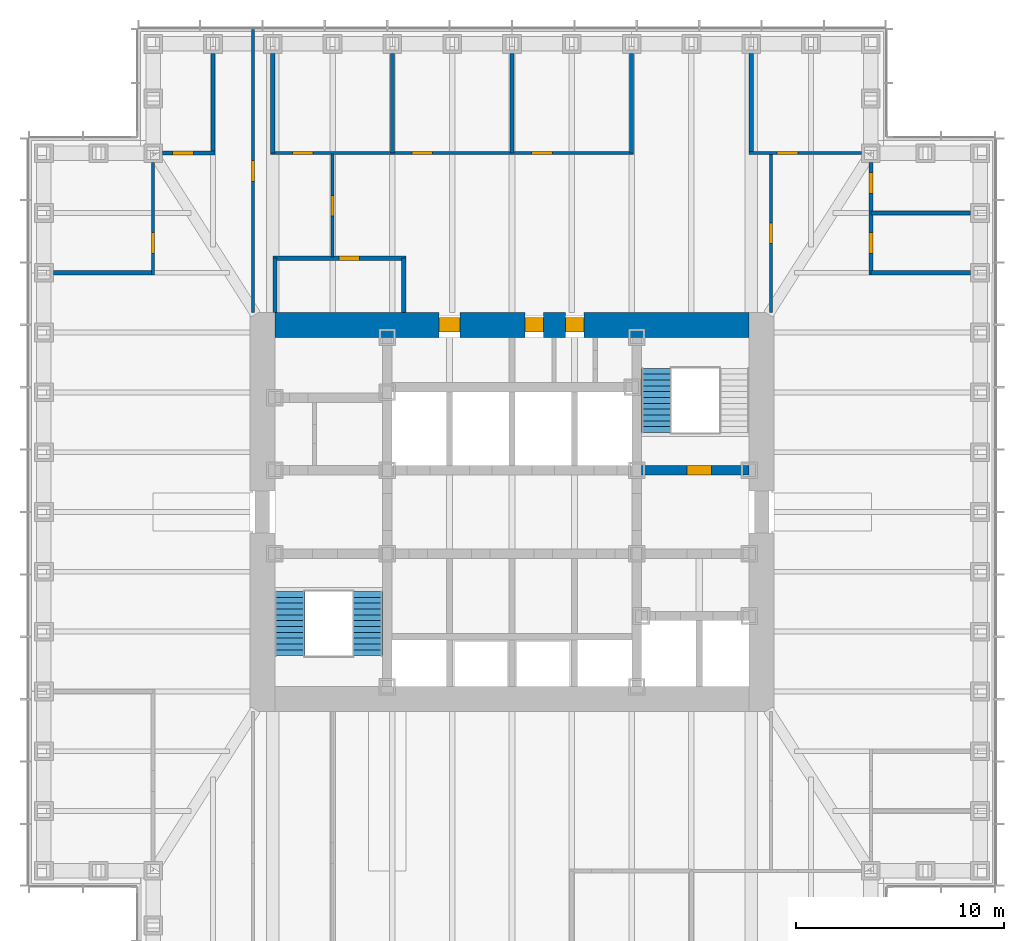
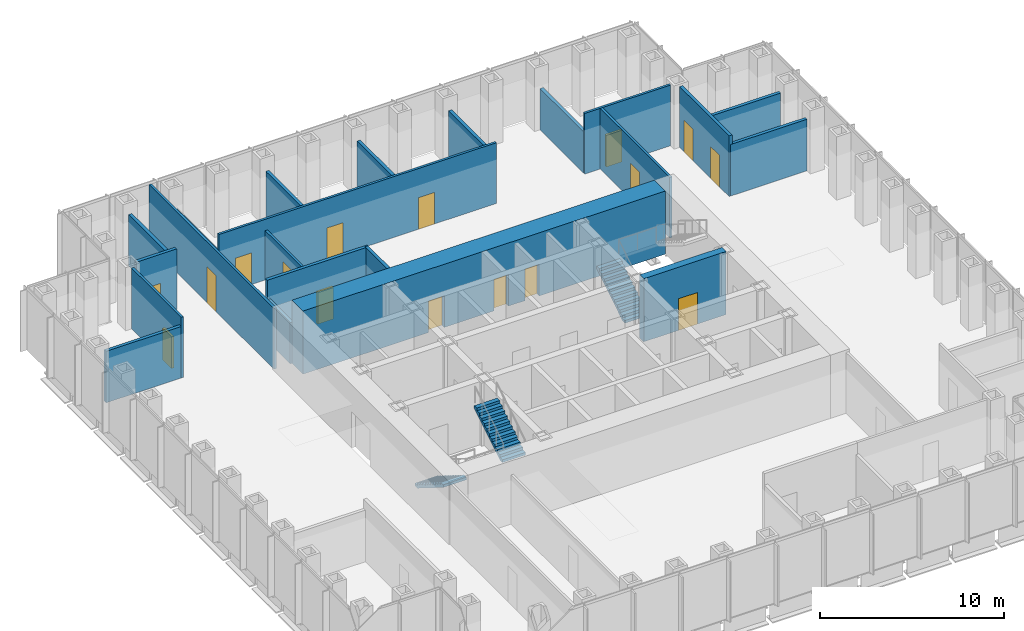
# One storey, part 10 of 17: 22 walls, 16 doors, 3 stair flights, 16 openings, 2 elements without a shape of their own.
"""IFC4 building model written with IfcOpenShell, lengths in metres."""

from ifc_helpers import new_model, si_unit, direction, frame, frame_2d, origin, place, context, subcontext, project, spatial, polyline, rectangle, outline, extrude, material, layer, layer_set, type_object, element, fill, aggregate, save


model = new_model("IFC4")

# Units and contexts
model_context = context("Model", 3, precision=1e-05, world=origin(), true_north=direction((0.0, 1.0)))
body_context = subcontext(model_context, "Body", "Model", "MODEL_VIEW")
ifc_project = project(units=[si_unit("LENGTHUNIT", "METRE"), si_unit("AREAUNIT", "SQUARE_METRE"), si_unit("VOLUMEUNIT", "CUBIC_METRE"), si_unit("PLANEANGLEUNIT", "RADIAN"), si_unit("MASSUNIT", "GRAM", prefix="KILO")], contexts=[model_context])

# Site, building, storey
site_placement = place(None, origin())
site = spatial("IfcSite", under=ifc_project, at=site_placement, CompositionType="ELEMENT")
building_placement = place(site_placement, origin())
building = spatial("IfcBuilding", under=site, at=building_placement, Name="Daluyong Arena Tower", CompositionType="ELEMENT")
storey_placement = place(building_placement, frame((0.0, 0.0, 129.10009765625)))
storey = spatial("IfcBuildingStorey", under=building, at=storey_placement, Name="L28", CompositionType="ELEMENT", Elevation=129.10009765625)

# Wall, opening, door
ifc_material_1 = material(Name="Concrete fc' 45 MPa", Category="concrete")
ifc_layer_1 = layer(ifc_material_1, 0.449951171875)
ifc_layer_set_1 = layer_set([ifc_layer_1], Name="Concrete fc' 45 MPa")
wall_type_1 = type_object("IfcWallType", Name="Core inner wall 450", PredefinedType="SHEAR", material=ifc_layer_set_1)
wall_1_placement = place(storey_placement, frame((62.22509765625, 82.0, 0.0), z_axis=(0.0, 0.0, 1.0), x_axis=(1.0, 0.0, 0.0)))
wall_1 = element("IfcWall", 1, at=wall_1_placement, inside=storey, type_object=wall_type_1, Name="core inner wall at L28", PredefinedType="SHEAR", context=body_context, shape_type="SweptSolid", body=[
    extrude(rectangle(XDim=5.1748046875, YDim=0.449951171875, at=frame_2d((2.58740234375, 0.0))), origin(), (0.0, 0.0, 1.0), 4.199951171875),
])
opening_1_placement = place(wall_1_placement, frame((2.175048828125, 0.0, 0.0)))
opening_1 = element("IfcOpeningElement", 2, at=opening_1_placement, cuts=wall_1, Name="Opening 28013", PredefinedType="OPENING", context=body_context, shape_type="SweptSolid", body=[
    extrude(rectangle(XDim=1.199951171875, YDim=2.10009765625, at=frame_2d((0.60009765625, 1.050048828125))), frame((0.0, 0.23486328125, 0.0), z_axis=(0.0, -1.0, 0.0), x_axis=(1.0, 0.0, 0.0)), (0.0, 0.0, 1.0), 0.469970703125),
])
ifc_material_2 = material(Name="Steel door, fire rated", Category="steel")
door_type_1 = type_object("IfcDoorType", Name="Stair door 1200", OperationType="SINGLE_SWING_LEFT", PredefinedType="DOOR", material=ifc_material_2)
door_1_placement = place(opening_1_placement, origin())
door_1 = element("IfcDoor", 3, at=door_1_placement, inside=storey, type_object=door_type_1, Name="stair B door 28013", OperationType="SINGLE_SWING_LEFT", OverallHeight=2.10009765625, OverallWidth=1.199951171875, PredefinedType="DOOR", context=body_context, shape_type="SweptSolid", body=[
    extrude(rectangle(XDim=1.199951171875, YDim=2.10009765625, at=frame_2d((0.60009765625, 1.050048828125))), frame((0.0, 0.224609375, 0.0), z_axis=(0.0, -1.0, 0.0), x_axis=(1.0, 0.0, 0.0)), (0.0, 0.0, 1.0), 0.449462890625),
])
fill(opening_1, door_1)

# Wall, openings, doors
ifc_material_3 = material(Name="Concrete fc' 60 MPa", Category="concrete")
ifc_layer_2 = layer(ifc_material_3, 1.199951171875)
ifc_layer_set_2 = layer_set([ifc_layer_2], Name="Concrete fc' 60 MPa")
wall_type_2 = type_object("IfcWallType", Name="Core wall 1200", PredefinedType="SHEAR", material=ifc_layer_set_2)
wall_2_placement = place(storey_placement, frame((44.60009765625, 89.0, 0.0), z_axis=(0.0, 0.0, 1.0), x_axis=(1.0, 0.0, 0.0)))
wall_2 = element("IfcWall", 4, at=wall_2_placement, inside=storey, type_object=wall_type_2, Name="core wall at L28", PredefinedType="SHEAR", context=body_context, shape_type="SweptSolid", body=[
    extrude(rectangle(XDim=22.7998046875, YDim=1.199951171875, at=frame_2d((11.39990234375, 0.0))), origin(), (0.0, 0.0, 1.0), 4.199951171875),
])
opening_2_placement = place(wall_2_placement, frame((7.89990234375, 0.0, 0.0)))
opening_2 = element("IfcOpeningElement", 5, at=opening_2_placement, cuts=wall_2, Name="Opening 28004", PredefinedType="OPENING", context=body_context, shape_type="SweptSolid", body=[
    extrude(rectangle(XDim=1.0, YDim=2.10009765625, at=frame_2d((0.5, 1.050048828125))), frame((0.0, 0.60986328125, 0.0), z_axis=(0.0, -1.0, 0.0), x_axis=(1.0, 0.0, 0.0)), (0.0, 0.0, 1.0), 1.219970703125),
])
opening_3_placement = place(wall_2_placement, frame((12.02490234375, 0.0, 0.0)))
opening_3 = element("IfcOpeningElement", 6, at=opening_3_placement, cuts=wall_2, Name="Opening 28005", PredefinedType="OPENING", context=body_context, shape_type="SweptSolid", body=[
    extrude(rectangle(XDim=0.89990234375, YDim=2.10009765625, at=frame_2d((0.449951171875, 1.050048828125))), frame((0.0, 0.60986328125, 0.0), z_axis=(0.0, -1.0, 0.0), x_axis=(1.0, 0.0, 0.0)), (0.0, 0.0, 1.0), 1.219970703125),
])
opening_4_placement = place(wall_2_placement, frame((13.96240234375, 0.0, 0.0)))
opening_4 = element("IfcOpeningElement", 7, at=opening_4_placement, cuts=wall_2, Name="Opening 28006", PredefinedType="OPENING", context=body_context, shape_type="SweptSolid", body=[
    extrude(rectangle(XDim=0.89990234375, YDim=2.10009765625, at=frame_2d((0.449951171875, 1.050048828125))), frame((0.0, 0.60986328125, 0.0), z_axis=(0.0, -1.0, 0.0), x_axis=(1.0, 0.0, 0.0)), (0.0, 0.0, 1.0), 1.219970703125),
])
ifc_material_4 = material(Name="Timber door", Category="wood")
door_type_2 = type_object("IfcDoorType", Name="Accessible toilet door 1000", OperationType="SINGLE_SWING_LEFT", PredefinedType="DOOR", material=ifc_material_4)
door_2_placement = place(opening_2_placement, origin())
door_2 = element("IfcDoor", 8, at=door_2_placement, inside=storey, type_object=door_type_2, Name="accessible toilet door 28004", OperationType="SINGLE_SWING_LEFT", OverallHeight=2.10009765625, OverallWidth=1.0, PredefinedType="DOOR", context=body_context, shape_type="SweptSolid", body=[
    extrude(rectangle(XDim=1.0, YDim=2.10009765625, at=frame_2d((0.5, 1.050048828125))), frame((0.0, 0.35009765625, 0.0), z_axis=(0.0, -1.0, 0.0), x_axis=(1.0, 0.0, 0.0)), (0.0, 0.0, 1.0), 0.699951171875),
])
fill(opening_2, door_2)
ifc_material_5 = material(Name="Steel door, fire rated", Category="steel")
door_type_3 = type_object("IfcDoorType", Name="Core store door 900", OperationType="SINGLE_SWING_LEFT", PredefinedType="DOOR", material=ifc_material_5)
door_3_placement = place(opening_3_placement, origin())
door_3 = element("IfcDoor", 9, at=door_3_placement, inside=storey, type_object=door_type_3, Name="furniture store door 28005", OperationType="SINGLE_SWING_LEFT", OverallHeight=2.10009765625, OverallWidth=0.89990234375, PredefinedType="DOOR", context=body_context, shape_type="SweptSolid", body=[
    extrude(rectangle(XDim=0.89990234375, YDim=2.10009765625, at=frame_2d((0.449951171875, 1.050048828125))), frame((0.0, 0.35009765625, 0.0), z_axis=(0.0, -1.0, 0.0), x_axis=(1.0, 0.0, 0.0)), (0.0, 0.0, 1.0), 0.699951171875),
])
fill(opening_3, door_3)
door_4_placement = place(opening_4_placement, origin())
door_4 = element("IfcDoor", 10, at=door_4_placement, inside=storey, type_object=door_type_3, Name="stationery store door 28006", OperationType="SINGLE_SWING_LEFT", OverallHeight=2.10009765625, OverallWidth=0.89990234375, PredefinedType="DOOR", context=body_context, shape_type="SweptSolid", body=[
    extrude(rectangle(XDim=0.89990234375, YDim=2.10009765625, at=frame_2d((0.449951171875, 1.050048828125))), frame((0.0, 0.35009765625, 0.0), z_axis=(0.0, -1.0, 0.0), x_axis=(1.0, 0.0, 0.0)), (0.0, 0.0, 1.0), 0.699951171875),
])
fill(opening_4, door_4)

ifc_material_6 = material(Name="Glazed aluminium partition", Category="aluminium")
ifc_layer_3 = layer(ifc_material_6, 0.14990234375)
ifc_layer_set_3 = layer_set([ifc_layer_3], Name="Glazed aluminium partition")
wall_type_3 = type_object("IfcWallType", Name="Glazed partition 150", PredefinedType="PARTITIONING", material=ifc_layer_set_3)
wall_3_placement = place(storey_placement, frame((44.39990234375, 97.25, 0.0), z_axis=(0.0, 0.0, 1.0), x_axis=(1.0, 0.0, 0.0)))
wall_3 = element("IfcWall", 11, at=wall_3_placement, inside=storey, type_object=wall_type_3, Name="glazed partition at L28", PredefinedType="PARTITIONING", context=body_context, shape_type="SweptSolid", body=[
    extrude(rectangle(XDim=17.4501953125, YDim=0.14990234375, at=frame_2d((8.72509765625, 0.0))), origin(), (0.0, 0.0, 1.0), 4.039794921875),
])
opening_5_placement = place(wall_3_placement, frame((1.03759765625, 0.0, 0.0)))
opening_5 = element("IfcOpeningElement", 12, at=opening_5_placement, cuts=wall_3, Name="Opening 28032", PredefinedType="OPENING", context=body_context, shape_type="SweptSolid", body=[
    extrude(rectangle(XDim=1.0, YDim=2.10009765625, at=frame_2d((0.5, 1.050048828125))), frame((0.0, 0.0849609375, 0.0), z_axis=(0.0, -1.0, 0.0), x_axis=(1.0, 0.0, 0.0)), (0.0, 0.0, 1.0), 0.169921875),
])
opening_6_placement = place(wall_3_placement, frame((6.78759765625, 0.0, 0.0)))
opening_6 = element("IfcOpeningElement", 13, at=opening_6_placement, cuts=wall_3, Name="Opening 28033", PredefinedType="OPENING", context=body_context, shape_type="SweptSolid", body=[
    extrude(rectangle(XDim=1.0, YDim=2.10009765625, at=frame_2d((0.5, 1.050048828125))), frame((0.0, 0.0849609375, 0.0), z_axis=(0.0, -1.0, 0.0), x_axis=(1.0, 0.0, 0.0)), (0.0, 0.0, 1.0), 0.169921875),
])
opening_7_placement = place(wall_3_placement, frame((12.53759765625, 0.0, 0.0)))
opening_7 = element("IfcOpeningElement", 14, at=opening_7_placement, cuts=wall_3, Name="Opening 28034", PredefinedType="OPENING", context=body_context, shape_type="SweptSolid", body=[
    extrude(rectangle(XDim=1.0, YDim=2.10009765625, at=frame_2d((0.5, 1.050048828125))), frame((0.0, 0.0849609375, 0.0), z_axis=(0.0, -1.0, 0.0), x_axis=(1.0, 0.0, 0.0)), (0.0, 0.0, 1.0), 0.169921875),
])
ifc_material_7 = material(Name="Timber door", Category="wood")
door_type_4 = type_object("IfcDoorType", Name="Room door 1000", OperationType="SINGLE_SWING_LEFT", PredefinedType="DOOR", material=ifc_material_7)
door_5_placement = place(opening_5_placement, origin())
door_5 = element("IfcDoor", 15, at=door_5_placement, inside=storey, type_object=door_type_4, Name="executive office door 28032", OperationType="SINGLE_SWING_LEFT", OverallHeight=2.10009765625, OverallWidth=1.0, PredefinedType="DOOR", context=body_context, shape_type="SweptSolid", body=[
    extrude(rectangle(XDim=1.0, YDim=2.10009765625, at=frame_2d((0.5, 1.050048828125))), frame((0.0, 0.07470703125, 0.0), z_axis=(0.0, -1.0, 0.0), x_axis=(1.0, 0.0, 0.0)), (0.0, 0.0, 1.0), 0.1494140625),
])
fill(opening_5, door_5)
door_6_placement = place(opening_6_placement, origin())
door_6 = element("IfcDoor", 16, at=door_6_placement, inside=storey, type_object=door_type_4, Name="office door 28033", OperationType="SINGLE_SWING_LEFT", OverallHeight=2.10009765625, OverallWidth=1.0, PredefinedType="DOOR", context=body_context, shape_type="SweptSolid", body=[
    extrude(rectangle(XDim=1.0, YDim=2.10009765625, at=frame_2d((0.5, 1.050048828125))), frame((0.0, 0.07470703125, 0.0), z_axis=(0.0, -1.0, 0.0), x_axis=(1.0, 0.0, 0.0)), (0.0, 0.0, 1.0), 0.1494140625),
])
fill(opening_6, door_6)
door_7_placement = place(opening_7_placement, origin())
door_7 = element("IfcDoor", 17, at=door_7_placement, inside=storey, type_object=door_type_4, Name="office door 28034", OperationType="SINGLE_SWING_LEFT", OverallHeight=2.10009765625, OverallWidth=1.0, PredefinedType="DOOR", context=body_context, shape_type="SweptSolid", body=[
    extrude(rectangle(XDim=1.0, YDim=2.10009765625, at=frame_2d((0.5, 1.050048828125))), frame((0.0, 0.07470703125, 0.0), z_axis=(0.0, -1.0, 0.0), x_axis=(1.0, 0.0, 0.0)), (0.0, 0.0, 1.0), 0.1494140625),
])
fill(opening_7, door_7)

# Wall, opening, door
wall_4_placement = place(storey_placement, frame((67.39990234375, 97.25, 0.0), z_axis=(0.0, 0.0, 1.0), x_axis=(1.0, 0.0, 0.0)))
wall_4 = element("IfcWall", 18, at=wall_4_placement, inside=storey, type_object=wall_type_3, Name="glazed partition at L28", PredefinedType="PARTITIONING", context=body_context, shape_type="SweptSolid", body=[
    extrude(rectangle(XDim=5.400146484375, YDim=0.14990234375, at=frame_2d((2.7001953125, 0.0))), origin(), (0.0, 0.0, 1.0), 4.039794921875),
])
opening_8_placement = place(wall_4_placement, frame((1.35009765625, 0.0, 0.0)))
opening_8 = element("IfcOpeningElement", 19, at=opening_8_placement, cuts=wall_4, Name="Opening 28035", PredefinedType="OPENING", context=body_context, shape_type="SweptSolid", body=[
    extrude(rectangle(XDim=1.0, YDim=2.10009765625, at=frame_2d((0.5, 1.050048828125))), frame((0.0, 0.0849609375, 0.0), z_axis=(0.0, -1.0, 0.0), x_axis=(1.0, 0.0, 0.0)), (0.0, 0.0, 1.0), 0.169921875),
])
door_8_placement = place(opening_8_placement, origin())
door_8 = element("IfcDoor", 20, at=door_8_placement, inside=storey, type_object=door_type_4, Name="executive office door 28035", OperationType="SINGLE_SWING_LEFT", OverallHeight=2.10009765625, OverallWidth=1.0, PredefinedType="DOOR", context=body_context, shape_type="SweptSolid", body=[
    extrude(rectangle(XDim=1.0, YDim=2.10009765625, at=frame_2d((0.5, 1.050048828125))), frame((0.0, 0.07470703125, 0.0), z_axis=(0.0, -1.0, 0.0), x_axis=(1.0, 0.0, 0.0)), (0.0, 0.0, 1.0), 0.1494140625),
])
fill(opening_8, door_8)

wall_5_placement = place(storey_placement, frame((38.75, 91.39990234375, 0.0), z_axis=(0.0, 0.0, 1.0), x_axis=(0.0, 1.0, 0.0)))
wall_5 = element("IfcWall", 21, at=wall_5_placement, inside=storey, type_object=wall_type_3, Name="glazed partition at L28", PredefinedType="PARTITIONING", context=body_context, shape_type="SweptSolid", body=[
    extrude(rectangle(XDim=5.400146484375, YDim=0.14990234375, at=frame_2d((2.7001953125, 0.0))), origin(), (0.0, 0.0, 1.0), 4.039794921875),
])
opening_9_placement = place(wall_5_placement, frame((1.03759765625, 0.0, 0.0)))
opening_9 = element("IfcOpeningElement", 22, at=opening_9_placement, cuts=wall_5, Name="Opening 28037", PredefinedType="OPENING", context=body_context, shape_type="SweptSolid", body=[
    extrude(rectangle(XDim=1.0, YDim=2.10009765625, at=frame_2d((0.5, 1.050048828125))), frame((0.0, 0.0849609375, 0.0), z_axis=(0.0, -1.0, 0.0), x_axis=(1.0, 0.0, 0.0)), (0.0, 0.0, 1.0), 0.169921875),
])
door_9_placement = place(opening_9_placement, origin())
door_9 = element("IfcDoor", 23, at=door_9_placement, inside=storey, type_object=door_type_4, Name="executive office door 28037", OperationType="SINGLE_SWING_LEFT", OverallHeight=2.10009765625, OverallWidth=1.0, PredefinedType="DOOR", context=body_context, shape_type="SweptSolid", body=[
    extrude(rectangle(XDim=1.0, YDim=2.10009765625, at=frame_2d((0.5, 1.050048828125))), frame((0.0, 0.07470703125, 0.0), z_axis=(0.0, -1.0, 0.0), x_axis=(1.0, 0.0, 0.0)), (0.0, 0.0, 1.0), 0.1494140625),
])
fill(opening_9, door_9)

wall_6_placement = place(storey_placement, frame((43.550048828125, 89.60009765625, 0.0), z_axis=(0.0, 0.0, 1.0), x_axis=(0.0, 1.0, 0.0)))
wall_6 = element("IfcWall", 24, at=wall_6_placement, inside=storey, type_object=wall_type_3, Name="glazed partition at L28", PredefinedType="PARTITIONING", context=body_context, shape_type="SweptSolid", body=[
    extrude(rectangle(XDim=13.58984375, YDim=0.14990234375, at=frame_2d((6.794921875, 0.0))), origin(), (0.0, 0.0, 1.0), 4.039794921875),
])
opening_10_placement = place(wall_6_placement, frame((6.294921875, 0.0, 0.0)))
opening_10 = element("IfcOpeningElement", 25, at=opening_10_placement, cuts=wall_6, Name="Opening 28041", PredefinedType="OPENING", context=body_context, shape_type="SweptSolid", body=[
    extrude(rectangle(XDim=1.0, YDim=2.39990234375, at=frame_2d((0.5, 1.199951171875))), frame((0.0, 0.0849609375, 0.0), z_axis=(0.0, -1.0, 0.0), x_axis=(1.0, 0.0, 0.0)), (0.0, 0.0, 1.0), 0.169921875),
])
ifc_material_8 = material(Name="Glazed aluminium door", Category="aluminium")
door_type_5 = type_object("IfcDoorType", Name="Meeting room glazed door 1000", OperationType="SINGLE_SWING_RIGHT", PredefinedType="DOOR", material=ifc_material_8)
door_10_placement = place(opening_10_placement, origin())
door_10 = element("IfcDoor", 26, at=door_10_placement, inside=storey, type_object=door_type_5, Name="team area screen door 28041", OperationType="SINGLE_SWING_RIGHT", OverallHeight=2.39990234375, OverallWidth=1.0, PredefinedType="DOOR", context=body_context, shape_type="SweptSolid", body=[
    extrude(rectangle(XDim=1.0, YDim=2.39990234375, at=frame_2d((0.5, 1.199951171875))), frame((0.0, 0.07470703125, 0.0), z_axis=(0.0, -1.0, 0.0), x_axis=(1.0, 0.0, 0.0)), (0.0, 0.0, 1.0), 0.1494140625),
])
fill(opening_10, door_10)

wall_7_placement = place(storey_placement, frame((47.375, 92.25, 0.0), z_axis=(0.0, 0.0, 1.0), x_axis=(0.0, 1.0, 0.0)))
wall_7 = element("IfcWall", 27, at=wall_7_placement, inside=storey, type_object=wall_type_3, Name="glazed partition at L28", PredefinedType="PARTITIONING", context=body_context, shape_type="SweptSolid", body=[
    extrude(rectangle(XDim=4.949951171875, YDim=0.14990234375, at=frame_2d((2.47509765625, 0.0))), origin(), (0.0, 0.0, 1.0), 3.27783203125),
])
opening_11_placement = place(wall_7_placement, frame((1.97509765625, 0.0, 0.0)))
opening_11 = element("IfcOpeningElement", 28, at=opening_11_placement, cuts=wall_7, Name="Opening 28044", PredefinedType="OPENING", context=body_context, shape_type="SweptSolid", body=[
    extrude(rectangle(XDim=1.0, YDim=2.39990234375, at=frame_2d((0.5, 1.199951171875))), frame((0.0, 0.0849609375, 0.0), z_axis=(0.0, -1.0, 0.0), x_axis=(1.0, 0.0, 0.0)), (0.0, 0.0, 1.0), 0.169921875),
])
door_11_placement = place(opening_11_placement, origin())
door_11 = element("IfcDoor", 29, at=door_11_placement, inside=storey, type_object=door_type_5, Name="team area screen door 28044", OperationType="SINGLE_SWING_RIGHT", OverallHeight=2.39990234375, OverallWidth=1.0, PredefinedType="DOOR", context=body_context, shape_type="SweptSolid", body=[
    extrude(rectangle(XDim=1.0, YDim=2.39990234375, at=frame_2d((0.5, 1.199951171875))), frame((0.0, 0.07470703125, 0.0), z_axis=(0.0, -1.0, 0.0), x_axis=(1.0, 0.0, 0.0)), (0.0, 0.0, 1.0), 0.1494140625),
])
fill(opening_11, door_11)

wall_8_placement = place(storey_placement, frame((68.449951171875, 89.60009765625, 0.0), z_axis=(0.0, 0.0, 1.0), x_axis=(0.0, 1.0, 0.0)))
wall_8 = element("IfcWall", 30, at=wall_8_placement, inside=storey, type_object=wall_type_3, Name="glazed partition at L28", PredefinedType="PARTITIONING", context=body_context, shape_type="SweptSolid", body=[
    extrude(rectangle(XDim=7.599853515625, YDim=0.14990234375, at=frame_2d((3.7998046875, 0.0))), origin(), (0.0, 0.0, 1.0), 4.039794921875),
])
opening_12_placement = place(wall_8_placement, frame((3.300048828125, 0.0, 0.0)))
opening_12 = element("IfcOpeningElement", 31, at=opening_12_placement, cuts=wall_8, Name="Opening 28042", PredefinedType="OPENING", context=body_context, shape_type="SweptSolid", body=[
    extrude(rectangle(XDim=1.0, YDim=2.39990234375, at=frame_2d((0.5, 1.199951171875))), frame((0.0, 0.0849609375, 0.0), z_axis=(0.0, -1.0, 0.0), x_axis=(1.0, 0.0, 0.0)), (0.0, 0.0, 1.0), 0.169921875),
])
door_12_placement = place(opening_12_placement, origin())
door_12 = element("IfcDoor", 32, at=door_12_placement, inside=storey, type_object=door_type_5, Name="team area screen door 28042", OperationType="SINGLE_SWING_RIGHT", OverallHeight=2.39990234375, OverallWidth=1.0, PredefinedType="DOOR", context=body_context, shape_type="SweptSolid", body=[
    extrude(rectangle(XDim=1.0, YDim=2.39990234375, at=frame_2d((0.5, 1.199951171875))), frame((0.0, 0.07470703125, 0.0), z_axis=(0.0, -1.0, 0.0), x_axis=(1.0, 0.0, 0.0)), (0.0, 0.0, 1.0), 0.1494140625),
])
fill(opening_12, door_12)

# Walls
ifc_material_9 = material(Name="Concrete block partition", Category="concrete")
ifc_layer_4 = layer(ifc_material_9, 0.199951171875)
ifc_layer_set_4 = layer_set([ifc_layer_4], Name="Concrete block partition")
wall_type_4 = type_object("IfcWallType", Name="Partition 200", PredefinedType="PARTITIONING", material=ifc_layer_set_4)
for number, where, z_axis, x_axis, name in (
    (33, (73.25, 91.5, 0.0), (0.0, 0.0, 1.0), (1.0, 0.0, 0.0), "partition at L28"),
    (34, (73.25, 94.375, 0.0), (0.0, 0.0, 1.0), (1.0, 0.0, 0.0), "partition at L28"),
    (35, (41.625, 97.25, 0.0), (0.0, 0.0, 1.0), (0.0, 1.0, 0.0), "partition at L28"),
):
    element("IfcWall", number, at=place(storey_placement, frame(where, z_axis=z_axis, x_axis=x_axis)), inside=storey, type_object=wall_type_4, Name=name, PredefinedType="PARTITIONING", context=body_context, shape_type="SweptSolid", body=[
        extrude(rectangle(XDim=4.800048828125, YDim=0.199951171875, at=frame_2d((2.39990234375, 0.0))), origin(), (0.0, 0.0, 1.0), 3.427734375),
    ])
wall_9_placement = place(storey_placement, frame((44.5, 97.25, 0.0), z_axis=(0.0, 0.0, 1.0), x_axis=(0.0, 1.0, 0.0)))
element("IfcWall", 36, at=wall_9_placement, inside=storey, type_object=wall_type_4, Name="partition at L28", PredefinedType="PARTITIONING", context=body_context, shape_type="SweptSolid", body=[
    extrude(rectangle(XDim=4.800048828125, YDim=0.199951171875, at=frame_2d((2.39990234375, 0.0))), origin(), (0.0, 0.0, 1.0), 2.739990234375),
])
for number, where, z_axis, x_axis, name in (
    (37, (50.25, 97.25, 0.0), (0.0, 0.0, 1.0), (0.0, 1.0, 0.0), "partition at L28"),
    (38, (56.0, 97.25, 0.0), (0.0, 0.0, 1.0), (0.0, 1.0, 0.0), "partition at L28"),
    (39, (61.75, 97.25, 0.0), (0.0, 0.0, 1.0), (0.0, 1.0, 0.0), "partition at L28"),
):
    element("IfcWall", number, at=place(storey_placement, frame(where, z_axis=z_axis, x_axis=x_axis)), inside=storey, type_object=wall_type_4, Name=name, PredefinedType="PARTITIONING", context=body_context, shape_type="SweptSolid", body=[
        extrude(rectangle(XDim=4.800048828125, YDim=0.199951171875, at=frame_2d((2.39990234375, 0.0))), origin(), (0.0, 0.0, 1.0), 3.27783203125),
    ])
wall_10_placement = place(storey_placement, frame((67.5, 97.25, 0.0), z_axis=(0.0, 0.0, 1.0), x_axis=(0.0, 1.0, 0.0)))
element("IfcWall", 40, at=wall_10_placement, inside=storey, type_object=wall_type_4, Name="partition at L28", PredefinedType="PARTITIONING", context=body_context, shape_type="SweptSolid", body=[
    extrude(rectangle(XDim=4.800048828125, YDim=0.199951171875, at=frame_2d((2.39990234375, 0.0))), origin(), (0.0, 0.0, 1.0), 2.739990234375),
])
wall_11_placement = place(storey_placement, frame((33.949951171875, 91.5, 0.0), z_axis=(0.0, 0.0, 1.0), x_axis=(1.0, 0.0, 0.0)))
element("IfcWall", 41, at=wall_11_placement, inside=storey, type_object=wall_type_4, Name="partition at L28", PredefinedType="PARTITIONING", context=body_context, shape_type="SweptSolid", body=[
    extrude(rectangle(XDim=4.800048828125, YDim=0.199951171875, at=frame_2d((2.39990234375, 0.0))), origin(), (0.0, 0.0, 1.0), 3.427734375),
])
wall_12_placement = place(storey_placement, frame((44.60009765625, 89.60009765625, 0.0), z_axis=(0.0, 0.0, 1.0), x_axis=(0.0, 1.0, 0.0)))
element("IfcWall", 42, at=wall_12_placement, inside=storey, type_object=wall_type_4, Name="partition at L28", PredefinedType="PARTITIONING", context=body_context, shape_type="SweptSolid", body=[
    extrude(rectangle(XDim=2.599853515625, YDim=0.199951171875, at=frame_2d((1.2998046875, 0.0))), origin(), (0.0, 0.0, 1.0), 2.739990234375),
])
wall_13_placement = place(storey_placement, frame((50.800048828125, 89.60009765625, 0.0), z_axis=(0.0, 0.0, 1.0), x_axis=(0.0, 1.0, 0.0)))
element("IfcWall", 43, at=wall_13_placement, inside=storey, type_object=wall_type_4, Name="partition at L28", PredefinedType="PARTITIONING", context=body_context, shape_type="SweptSolid", body=[
    extrude(rectangle(XDim=2.599853515625, YDim=0.199951171875, at=frame_2d((1.2998046875, 0.0))), origin(), (0.0, 0.0, 1.0), 4.039794921875),
])

# Wall, opening, door
wall_14_placement = place(storey_placement, frame((44.5, 92.199951171875, 0.0), z_axis=(0.0, 0.0, 1.0), x_axis=(1.0, 0.0, 0.0)))
wall_14 = element("IfcWall", 44, at=wall_14_placement, inside=storey, type_object=wall_type_4, Name="partition at L28", PredefinedType="PARTITIONING", context=body_context, shape_type="SweptSolid", body=[
    extrude(rectangle(XDim=6.39990234375, YDim=0.199951171875, at=frame_2d((3.199951171875, 0.0))), origin(), (0.0, 0.0, 1.0), 4.039794921875),
])
opening_13_placement = place(wall_14_placement, frame((3.175048828125, 0.0, 0.0)))
opening_13 = element("IfcOpeningElement", 45, at=opening_13_placement, cuts=wall_14, Name="Opening 28038", PredefinedType="OPENING", context=body_context, shape_type="SweptSolid", body=[
    extrude(rectangle(XDim=1.0, YDim=2.10009765625, at=frame_2d((0.5, 1.050048828125))), frame((0.0, 0.10986328125, 0.0), z_axis=(0.0, -1.0, 0.0), x_axis=(1.0, 0.0, 0.0)), (0.0, 0.0, 1.0), 0.219970703125),
])
door_13_placement = place(opening_13_placement, origin())
door_13 = element("IfcDoor", 46, at=door_13_placement, inside=storey, type_object=door_type_4, Name="project room door 28038", OperationType="SINGLE_SWING_LEFT", OverallHeight=2.10009765625, OverallWidth=1.0, PredefinedType="DOOR", context=body_context, shape_type="SweptSolid", body=[
    extrude(rectangle(XDim=1.0, YDim=2.10009765625, at=frame_2d((0.5, 1.050048828125))), frame((0.0, 0.099609375, 0.0), z_axis=(0.0, -1.0, 0.0), x_axis=(1.0, 0.0, 0.0)), (0.0, 0.0, 1.0), 0.199462890625),
])
fill(opening_13, door_13)

wall_15_placement = place(storey_placement, frame((39.199951171875, 97.25, 0.0), z_axis=(0.0, 0.0, 1.0), x_axis=(1.0, 0.0, 0.0)))
wall_15 = element("IfcWall", 47, at=wall_15_placement, inside=storey, type_object=wall_type_4, Name="partition at L28", PredefinedType="PARTITIONING", context=body_context, shape_type="SweptSolid", body=[
    extrude(rectangle(XDim=2.525146484375, YDim=0.199951171875, at=frame_2d((1.2626953125, 0.0))), origin(), (0.0, 0.0, 1.0), 4.039794921875),
])
opening_14_placement = place(wall_15_placement, frame((0.487548828125, 0.0, 0.0)))
opening_14 = element("IfcOpeningElement", 48, at=opening_14_placement, cuts=wall_15, Name="Opening 28031", PredefinedType="OPENING", context=body_context, shape_type="SweptSolid", body=[
    extrude(rectangle(XDim=1.0, YDim=2.10009765625, at=frame_2d((0.5, 1.050048828125))), frame((0.0, 0.10986328125, 0.0), z_axis=(0.0, -1.0, 0.0), x_axis=(1.0, 0.0, 0.0)), (0.0, 0.0, 1.0), 0.219970703125),
])
door_14_placement = place(opening_14_placement, origin())
door_14 = element("IfcDoor", 49, at=door_14_placement, inside=storey, type_object=door_type_4, Name="quiet room door 28031", OperationType="SINGLE_SWING_LEFT", OverallHeight=2.10009765625, OverallWidth=1.0, PredefinedType="DOOR", context=body_context, shape_type="SweptSolid", body=[
    extrude(rectangle(XDim=1.0, YDim=2.10009765625, at=frame_2d((0.5, 1.050048828125))), frame((0.0, 0.099609375, 0.0), z_axis=(0.0, -1.0, 0.0), x_axis=(1.0, 0.0, 0.0)), (0.0, 0.0, 1.0), 0.199462890625),
])
fill(opening_14, door_14)

# Wall, openings, doors
wall_16_placement = place(storey_placement, frame((73.25, 91.39990234375, 0.0), z_axis=(0.0, 0.0, 1.0), x_axis=(0.0, 1.0, 0.0)))
wall_16 = element("IfcWall", 50, at=wall_16_placement, inside=storey, type_object=wall_type_4, Name="partition at L28", PredefinedType="PARTITIONING", context=body_context, shape_type="SweptSolid", body=[
    extrude(rectangle(XDim=5.400146484375, YDim=0.199951171875, at=frame_2d((2.7001953125, 0.0))), origin(), (0.0, 0.0, 1.0), 4.039794921875),
])
opening_15_placement = place(wall_16_placement, frame((1.03759765625, 0.0, 0.0)))
opening_15 = element("IfcOpeningElement", 51, at=opening_15_placement, cuts=wall_16, Name="Opening 28029", PredefinedType="OPENING", context=body_context, shape_type="SweptSolid", body=[
    extrude(rectangle(XDim=1.0, YDim=2.10009765625, at=frame_2d((0.5, 1.050048828125))), frame((0.0, 0.10986328125, 0.0), z_axis=(0.0, -1.0, 0.0), x_axis=(1.0, 0.0, 0.0)), (0.0, 0.0, 1.0), 0.219970703125),
])
opening_16_placement = place(wall_16_placement, frame((3.91259765625, 0.0, 0.0)))
opening_16 = element("IfcOpeningElement", 52, at=opening_16_placement, cuts=wall_16, Name="Opening 28030", PredefinedType="OPENING", context=body_context, shape_type="SweptSolid", body=[
    extrude(rectangle(XDim=1.0, YDim=2.10009765625, at=frame_2d((0.5, 1.050048828125))), frame((0.0, 0.10986328125, 0.0), z_axis=(0.0, -1.0, 0.0), x_axis=(1.0, 0.0, 0.0)), (0.0, 0.0, 1.0), 0.219970703125),
])
door_15_placement = place(opening_15_placement, origin())
door_15 = element("IfcDoor", 53, at=door_15_placement, inside=storey, type_object=door_type_4, Name="wellness room door 28029", OperationType="SINGLE_SWING_LEFT", OverallHeight=2.10009765625, OverallWidth=1.0, PredefinedType="DOOR", context=body_context, shape_type="SweptSolid", body=[
    extrude(rectangle(XDim=1.0, YDim=2.10009765625, at=frame_2d((0.5, 1.050048828125))), frame((0.0, 0.099609375, 0.0), z_axis=(0.0, -1.0, 0.0), x_axis=(1.0, 0.0, 0.0)), (0.0, 0.0, 1.0), 0.199462890625),
])
fill(opening_15, door_15)
door_16_placement = place(opening_16_placement, origin())
door_16 = element("IfcDoor", 54, at=door_16_placement, inside=storey, type_object=door_type_4, Name="wellness room door 28030", OperationType="SINGLE_SWING_LEFT", OverallHeight=2.10009765625, OverallWidth=1.0, PredefinedType="DOOR", context=body_context, shape_type="SweptSolid", body=[
    extrude(rectangle(XDim=1.0, YDim=2.10009765625, at=frame_2d((0.5, 1.050048828125))), frame((0.0, 0.099609375, 0.0), z_axis=(0.0, -1.0, 0.0), x_axis=(1.0, 0.0, 0.0)), (0.0, 0.0, 1.0), 0.199462890625),
])
fill(opening_16, door_16)

# Stair, stair flights
ifc_material_10 = material(Name="Concrete fc' 35 MPa", Category="concrete")
stair_type = type_object("IfcStairType", Name="Core exit stair", PredefinedType="HALF_TURN_STAIR", material=ifc_material_10)
stair_1_placement = place(storey_placement, origin())
stair_1 = element("IfcStair", 55, at=stair_1_placement, inside=storey, type_object=stair_type, Name="exit stair A L28", PredefinedType="HALF_TURN_STAIR")
ifc_material_11 = material(Name="Concrete fc' 35 MPa", Category="concrete")
stair_flight_type = type_object("IfcStairFlightType", Name="Core stair flight", PredefinedType="STRAIGHT", material=ifc_material_11)
stair_flight_1_placement = place(storey_placement, frame((45.324951171875, 76.175048828125, 0.0), z_axis=(0.0, 0.0, 1.0), x_axis=(0.0, -1.0, 0.0)))
stair_flight_1 = element("IfcStairFlight", 56, at=stair_flight_1_placement, type_object=stair_flight_type, Name="STA flight 1", NumberOfRisers=12, NumberOfTreads=11, PredefinedType="STRAIGHT", RiserHeight=0.175, TreadLength=0.28, context=body_context, shape_type="SweptSolid", body=[
    extrude(outline(polyline([(0.0, 0.0), (0.0, 0.175048828125), (0.280029296875, 0.175048828125), (0.280029296875, 0.35009765625), (0.56005859375, 0.35009765625), (0.56005859375, 0.52490234375), (0.840087890625, 0.52490234375), (0.840087890625, 0.699951171875), (1.1201171875, 0.699951171875), (1.1201171875, 0.875), (1.39990234375, 0.875), (1.39990234375, 1.050048828125), (1.679931640625, 1.050048828125), (1.679931640625, 1.22509765625), (1.9599609375, 1.22509765625), (1.9599609375, 1.39990234375), (2.239990234375, 1.39990234375), (2.239990234375, 1.574951171875), (2.52001953125, 1.574951171875), (2.52001953125, 1.75), (2.800048828125, 1.75), (2.800048828125, 1.925048828125), (3.080078125, 1.925048828125), (3.080078125, 2.10009765625), (3.080078125, 1.748291015625), (0.28271484375, 0.0), (0.0, 0.0)])), frame((0.0, 0.72509765625, 0.0), z_axis=(0.0, -1.0, 0.0), x_axis=(1.0, 0.0, 0.0)), (0.0, 0.0, 1.0), 1.449951171875),
])
stair_flight_2_placement = place(storey_placement, frame((49.050048828125, 73.094970703125, 2.099853515625), z_axis=(0.0, 0.0, 1.0), x_axis=(0.0, 1.0, 0.0)))
stair_flight_2 = element("IfcStairFlight", 57, at=stair_flight_2_placement, type_object=stair_flight_type, Name="STA flight 2", NumberOfRisers=12, NumberOfTreads=11, PredefinedType="STRAIGHT", RiserHeight=0.175, TreadLength=0.28, context=body_context, shape_type="SweptSolid", body=[
    extrude(outline(polyline([(0.0, 0.0), (0.0, 0.175048828125), (0.280029296875, 0.175048828125), (0.280029296875, 0.35009765625), (0.56005859375, 0.35009765625), (0.56005859375, 0.52490234375), (0.840087890625, 0.52490234375), (0.840087890625, 0.699951171875), (1.1201171875, 0.699951171875), (1.1201171875, 0.875), (1.39990234375, 0.875), (1.39990234375, 1.050048828125), (1.679931640625, 1.050048828125), (1.679931640625, 1.22509765625), (1.9599609375, 1.22509765625), (1.9599609375, 1.39990234375), (2.239990234375, 1.39990234375), (2.239990234375, 1.574951171875), (2.52001953125, 1.574951171875), (2.52001953125, 1.75), (2.800048828125, 1.75), (2.800048828125, 1.925048828125), (3.080078125, 1.925048828125), (3.080078125, 2.10009765625), (3.080078125, 1.748291015625), (0.28271484375, 0.0), (0.0, 0.0)])), frame((0.0, 0.72509765625, 0.0), z_axis=(0.0, -1.0, 0.0), x_axis=(1.0, 0.0, 0.0)), (0.0, 0.0, 1.0), 1.449951171875),
])
aggregate(stair_1, [stair_flight_1, stair_flight_2])

# Stair, stair flight
stair_2_placement = place(storey_placement, origin())
stair_2 = element("IfcStair", 58, at=stair_2_placement, inside=storey, type_object=stair_type, Name="exit stair B L28", PredefinedType="HALF_TURN_STAIR")
stair_flight_3_placement = place(storey_placement, frame((62.949951171875, 83.824951171875, 0.0), z_axis=(0.0, 0.0, 1.0), x_axis=(0.0, 1.0, 0.0)))
stair_flight_3 = element("IfcStairFlight", 59, at=stair_flight_3_placement, type_object=stair_flight_type, Name="STB flight 1", NumberOfRisers=12, NumberOfTreads=11, PredefinedType="STRAIGHT", RiserHeight=0.175, TreadLength=0.28, context=body_context, shape_type="SweptSolid", body=[
    extrude(outline(polyline([(0.0, 0.0), (0.0, 0.175048828125), (0.280029296875, 0.175048828125), (0.280029296875, 0.35009765625), (0.56005859375, 0.35009765625), (0.56005859375, 0.52490234375), (0.840087890625, 0.52490234375), (0.840087890625, 0.699951171875), (1.1201171875, 0.699951171875), (1.1201171875, 0.875), (1.39990234375, 0.875), (1.39990234375, 1.050048828125), (1.679931640625, 1.050048828125), (1.679931640625, 1.22509765625), (1.9599609375, 1.22509765625), (1.9599609375, 1.39990234375), (2.239990234375, 1.39990234375), (2.239990234375, 1.574951171875), (2.52001953125, 1.574951171875), (2.52001953125, 1.75), (2.800048828125, 1.75), (2.800048828125, 1.925048828125), (3.080078125, 1.925048828125), (3.080078125, 2.10009765625), (3.080078125, 1.748291015625), (0.28271484375, 0.0), (0.0, 0.0)])), frame((0.0, 0.72509765625, 0.0), z_axis=(0.0, -1.0, 0.0), x_axis=(1.0, 0.0, 0.0)), (0.0, 0.0, 1.0), 1.449951171875),
])
aggregate(stair_2, [stair_flight_3])

save(model, "model.ifc")
